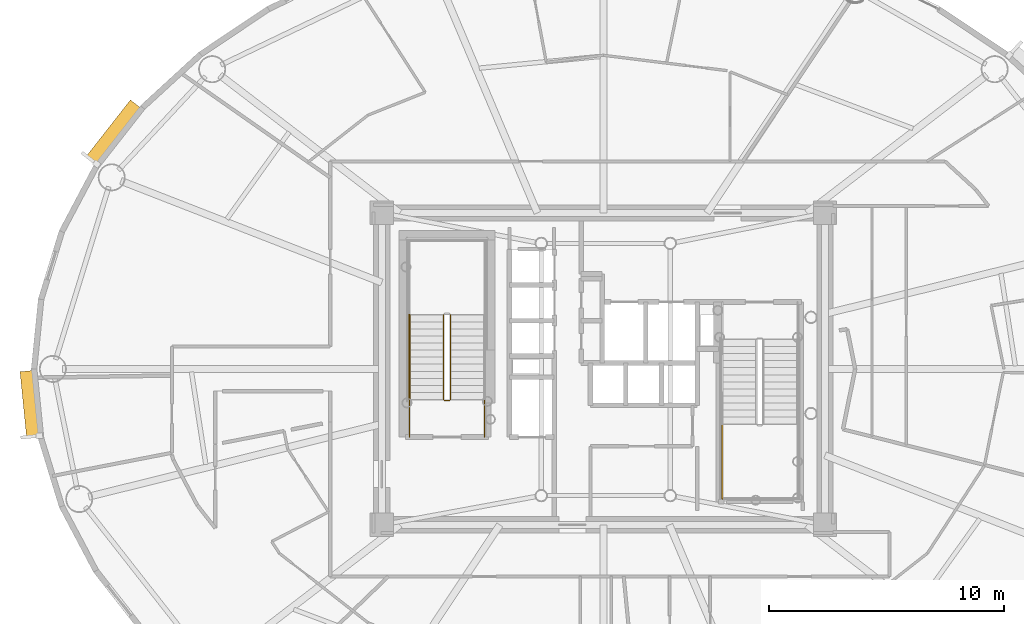
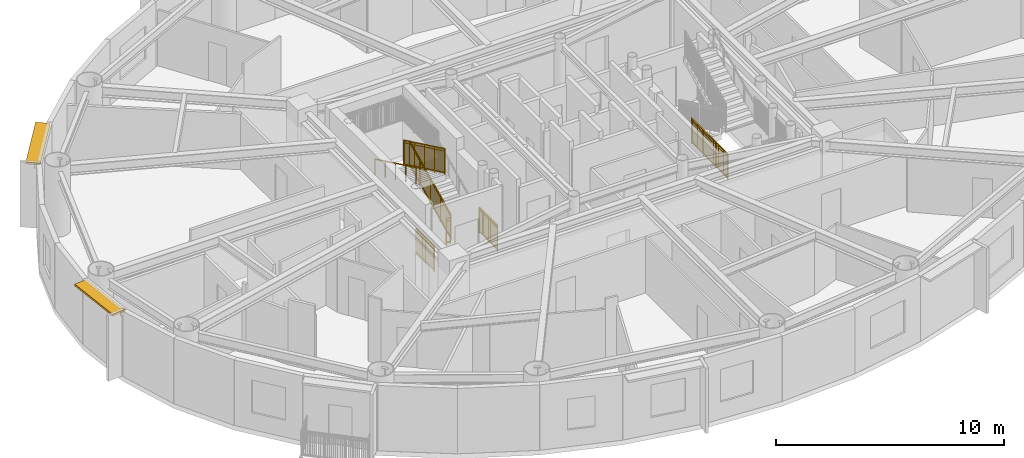
# One storey, part 12 of 16: 7 railings, 2 shading devices.
"""IFC4 building model written with IfcOpenShell, lengths in metres."""

from ifc_helpers import new_model, si_unit, direction, frame, origin, origin_2d, place, context, subcontext, project, spatial, rectangle, extrude, source, transform, mapped, material, layer, layer_set, type_object, element, save


model = new_model("IFC4")

# Units and contexts
model_context = context("Model", 3, precision=1e-05, world=origin(), true_north=direction((0.0, 1.0)))
body_context = subcontext(model_context, "Body", "Model", "MODEL_VIEW")
ifc_project = project(units=[si_unit("LENGTHUNIT", "METRE"), si_unit("AREAUNIT", "SQUARE_METRE"), si_unit("VOLUMEUNIT", "CUBIC_METRE"), si_unit("PLANEANGLEUNIT", "RADIAN"), si_unit("MASSUNIT", "GRAM", prefix="KILO")], contexts=[model_context])

# Site, building, storey
site_placement = place(None, origin())
site = spatial("IfcSite", under=ifc_project, at=site_placement, CompositionType="ELEMENT")
building_placement = place(site_placement, origin())
building = spatial("IfcBuilding", under=site, at=building_placement, Name="Linh Dai School and Residence Tower", CompositionType="ELEMENT")
storey_placement = place(building_placement, frame((0.0, 0.0, 255.300048828125)))
storey = spatial("IfcBuildingStorey", under=building, at=storey_placement, Name="L63", CompositionType="ELEMENT", Elevation=255.300048828125)

# Shading devices
ifc_material_1 = material(Name="Terracotta Ceramic Sunshade", Category="masonry")
ifc_layer = layer(ifc_material_1, 0.10009765625)
ifc_layer_set = layer_set([ifc_layer], Name="Terracotta Ceramic Sunshade")
shading_device_type = type_object("IfcShadingDeviceType", Name="SHD-TC-650", PredefinedType="USERDEFINED", material=ifc_layer_set)
shared_shape_1 = source(origin(), body_context, "Body", "SweptSolid", [
    extrude(rectangle(XDim=2.859619140625, YDim=0.64990234375, at=origin_2d()), origin(), (0.0, 0.0, 1.0), 0.10009765625),
])
shading_device_1_placement = place(storey_placement, frame((11.59033203125, 25.489501953125, 3.3798828125), z_axis=(0.0, 0.0, 1.0), x_axis=(-0.100012244219, 0.99498620644, 0.0)))
element("IfcShadingDevice", 1, at=shading_device_1_placement, inside=storey, type_object=shading_device_type, Name="L63 Terracotta Horizontal Sunshade Band 21", ObjectType="SUNSHADE", PredefinedType="USERDEFINED", context=body_context, shape_type="MappedRepresentation", body=[
    mapped(shared_shape_1, transform((0.0, 0.0, 0.0), x_axis=(1.0, 0.0, 0.0), y_axis=(0.0, 1.0, 0.0), z_axis=(0.0, 0.0, 1.0), scale=1.0)),
])
shared_shape_2 = source(origin(), body_context, "Body", "SweptSolid", [
    extrude(rectangle(XDim=3.095703125, YDim=0.64990234375, at=origin_2d()), origin(), (0.0, 0.0, 1.0), 0.10009765625),
])
shading_device_2_placement = place(storey_placement, frame((15.133544921875, 37.050537109375, 3.3798828125), z_axis=(0.0, 0.0, 1.0), x_axis=(0.616331674867, 0.787486677066, 0.0)))
element("IfcShadingDevice", 2, at=shading_device_2_placement, inside=storey, type_object=shading_device_type, Name="L63 Terracotta Horizontal Sunshade Band 17", ObjectType="SUNSHADE", PredefinedType="USERDEFINED", context=body_context, shape_type="MappedRepresentation", body=[
    mapped(shared_shape_2, transform((0.0, 0.0, 0.0), x_axis=(1.0, 0.0, 0.0), y_axis=(0.0, 1.0, 0.0), z_axis=(0.0, 0.0, 1.0), scale=1.0)),
])

# Railings
ifc_material_2 = material(Name="Structural Steel S355JR", Category="steel")
railing_type_1 = type_object("IfcRailingType", Name="RL-ST-GUARD-1400", PredefinedType="GUARDRAIL", material=ifc_material_2)
shared_shape_3 = source(origin(), body_context, "Body", "SweptSolid", [
    extrude(rectangle(XDim=0.048095703125, YDim=0.048095703125, at=origin_2d()), frame((0.0, 0.0, 1.3759765625), z_axis=(-1.0, 0.0, 0.0), x_axis=(0.0, -1.0, 0.0)), (0.0, 0.0, 1.0), 0.199951171875),
    extrude(rectangle(XDim=0.048095703125, YDim=0.048095703125, at=origin_2d()), frame((0.0, 0.0, 0.10009765625), z_axis=(-1.0, 0.0, 0.0), x_axis=(0.0, -1.0, 0.0)), (0.0, 0.0, 1.0), 0.199951171875),
    extrude(rectangle(XDim=0.030029296875, YDim=0.030029296875, at=origin_2d()), frame((0.0, 0.0, 1.239990234375), z_axis=(-1.0, 0.0, 0.0), x_axis=(0.0, -1.0, 0.0)), (0.0, 0.0, 1.0), 0.199951171875),
    extrude(rectangle(XDim=0.0419921875, YDim=0.0419921875, at=origin_2d()), origin(), (0.0, 0.0, 1.0), 1.3759765625),
    extrude(rectangle(XDim=0.0419921875, YDim=0.0419921875, at=origin_2d()), frame((-0.199951171875, 0.0, 0.0)), (0.0, 0.0, 1.0), 1.3759765625),
])
railing_1_placement = place(storey_placement, frame((29.429931640625, 25.64990234375, 0.0)))
element("IfcRailing", 3, at=railing_1_placement, inside=storey, type_object=railing_type_1, Name="L63 ST1 stair guard 7", PredefinedType="GUARDRAIL", context=body_context, shape_type="MappedRepresentation", body=[
    mapped(shared_shape_3, transform((0.0, 0.0, 0.0), x_axis=(1.0, 0.0, 0.0), y_axis=(0.0, 1.0, 0.0), z_axis=(0.0, 0.0, 1.0), scale=1.0)),
])
shared_shape_4 = source(origin(), body_context, "Body", "SweptSolid", [
    extrude(rectangle(XDim=0.048095703125, YDim=0.048095703125, at=origin_2d()), frame((0.0, 0.0, 1.3759765625), z_axis=(0.0, 1.0, 0.0), x_axis=(-1.0, 0.0, 0.0)), (0.0, 0.0, 1.0), 1.599853515625),
    extrude(rectangle(XDim=0.048095703125, YDim=0.048095703125, at=origin_2d()), frame((0.0, 0.0, 0.10009765625), z_axis=(0.0, 1.0, 0.0), x_axis=(-1.0, 0.0, 0.0)), (0.0, 0.0, 1.0), 1.599853515625),
    extrude(rectangle(XDim=0.030029296875, YDim=0.030029296875, at=origin_2d()), frame((0.0, 0.0, 1.239990234375), z_axis=(0.0, 1.0, 0.0), x_axis=(-1.0, 0.0, 0.0)), (0.0, 0.0, 1.0), 1.599853515625),
    extrude(rectangle(XDim=0.02001953125, YDim=0.02001953125, at=origin_2d()), frame((0.0, 0.093994140625, 0.10009765625)), (0.0, 0.0, 1.0), 1.251708984375),
    extrude(rectangle(XDim=0.02001953125, YDim=0.02001953125, at=origin_2d()), frame((0.0, 0.188232421875, 0.10009765625)), (0.0, 0.0, 1.0), 1.251708984375),
    extrude(rectangle(XDim=0.02001953125, YDim=0.02001953125, at=origin_2d()), frame((0.0, 0.2822265625, 0.10009765625)), (0.0, 0.0, 1.0), 1.251708984375),
    extrude(rectangle(XDim=0.02001953125, YDim=0.02001953125, at=origin_2d()), frame((0.0, 0.37646484375, 0.10009765625)), (0.0, 0.0, 1.0), 1.251708984375),
    extrude(rectangle(XDim=0.02001953125, YDim=0.02001953125, at=origin_2d()), frame((0.0, 0.470458984375, 0.10009765625)), (0.0, 0.0, 1.0), 1.251708984375),
    extrude(rectangle(XDim=0.02001953125, YDim=0.02001953125, at=origin_2d()), frame((0.0, 0.564697265625, 0.10009765625)), (0.0, 0.0, 1.0), 1.251708984375),
    extrude(rectangle(XDim=0.02001953125, YDim=0.02001953125, at=origin_2d()), frame((0.0, 0.65869140625, 0.10009765625)), (0.0, 0.0, 1.0), 1.251708984375),
    extrude(rectangle(XDim=0.02001953125, YDim=0.02001953125, at=origin_2d()), frame((0.0, 0.7529296875, 0.10009765625)), (0.0, 0.0, 1.0), 1.251708984375),
    extrude(rectangle(XDim=0.02001953125, YDim=0.02001953125, at=origin_2d()), frame((0.0, 0.846923828125, 0.10009765625)), (0.0, 0.0, 1.0), 1.251708984375),
    extrude(rectangle(XDim=0.02001953125, YDim=0.02001953125, at=origin_2d()), frame((0.0, 0.941162109375, 0.10009765625)), (0.0, 0.0, 1.0), 1.251708984375),
    extrude(rectangle(XDim=0.02001953125, YDim=0.02001953125, at=origin_2d()), frame((0.0, 1.03515625, 0.10009765625)), (0.0, 0.0, 1.0), 1.251708984375),
    extrude(rectangle(XDim=0.02001953125, YDim=0.02001953125, at=origin_2d()), frame((0.0, 1.12939453125, 0.10009765625)), (0.0, 0.0, 1.0), 1.251708984375),
    extrude(rectangle(XDim=0.02001953125, YDim=0.02001953125, at=origin_2d()), frame((0.0, 1.223388671875, 0.10009765625)), (0.0, 0.0, 1.0), 1.251708984375),
    extrude(rectangle(XDim=0.02001953125, YDim=0.02001953125, at=origin_2d()), frame((0.0, 1.317626953125, 0.10009765625)), (0.0, 0.0, 1.0), 1.251708984375),
    extrude(rectangle(XDim=0.02001953125, YDim=0.02001953125, at=origin_2d()), frame((0.0, 1.41162109375, 0.10009765625)), (0.0, 0.0, 1.0), 1.251708984375),
    extrude(rectangle(XDim=0.02001953125, YDim=0.02001953125, at=origin_2d()), frame((0.0, 1.505859375, 0.10009765625)), (0.0, 0.0, 1.0), 1.251708984375),
    extrude(rectangle(XDim=0.0419921875, YDim=0.0419921875, at=origin_2d()), origin(), (0.0, 0.0, 1.0), 1.3759765625),
    extrude(rectangle(XDim=0.0419921875, YDim=0.0419921875, at=origin_2d()), frame((0.0, 0.7998046875, 0.0)), (0.0, 0.0, 1.0), 1.3759765625),
    extrude(rectangle(XDim=0.0419921875, YDim=0.0419921875, at=origin_2d()), frame((0.0, 1.599853515625, 0.0)), (0.0, 0.0, 1.0), 1.3759765625),
])
for number, where, name in (
    (4, (30.929931640625, 24.10009765625, 0.0), "L63 ST1 stair guard 8"),
    (5, (27.72998046875, 24.10009765625, 0.0), "L63 ST1 stair guard 9"),
):
    element("IfcRailing", number, at=place(storey_placement, frame(where)), inside=storey, type_object=railing_type_1, Name=name, PredefinedType="GUARDRAIL", context=body_context, shape_type="MappedRepresentation", body=[
        mapped(shared_shape_4, transform((0.0, 0.0, 0.0), x_axis=(1.0, 0.0, 0.0), y_axis=(0.0, 1.0, 0.0), z_axis=(0.0, 0.0, 1.0), scale=1.0)),
    ])
shared_shape_5 = source(origin(), body_context, "Body", "SweptSolid", [
    extrude(rectangle(XDim=0.048095703125, YDim=0.048095703125, at=origin_2d()), frame((0.0, 0.0, 1.3759765625), z_axis=(0.0, 0.901262522062, 0.433273431364), x_axis=(-1.0, 0.0, 0.0)), (0.0, 0.0, 1.0), 3.994384765625),
    extrude(rectangle(XDim=0.048095703125, YDim=0.048095703125, at=origin_2d()), frame((0.0, 0.0, 0.10009765625), z_axis=(0.0, 0.901262522062, 0.433273431364), x_axis=(-1.0, 0.0, 0.0)), (0.0, 0.0, 1.0), 3.994384765625),
    extrude(rectangle(XDim=0.030029296875, YDim=0.030029296875, at=origin_2d()), frame((0.0, 0.0, 1.239990234375), z_axis=(0.0, 0.901262522062, 0.433273431364), x_axis=(-1.0, 0.0, 0.0)), (0.0, 0.0, 1.0), 3.994384765625),
    extrude(rectangle(XDim=0.02001953125, YDim=0.02001953125, at=origin_2d()), frame((0.0, 0.087890625, 0.142333984375)), (0.0, 0.0, 1.0), 1.251708984375),
    extrude(rectangle(XDim=0.02001953125, YDim=0.02001953125, at=origin_2d()), frame((0.0, 0.175537109375, 0.1845703125)), (0.0, 0.0, 1.0), 1.251708984375),
    extrude(rectangle(XDim=0.02001953125, YDim=0.02001953125, at=origin_2d()), frame((0.0, 0.263427734375, 0.226806640625)), (0.0, 0.0, 1.0), 1.251708984375),
    extrude(rectangle(XDim=0.02001953125, YDim=0.02001953125, at=origin_2d()), frame((0.0, 0.351318359375, 0.26904296875)), (0.0, 0.0, 1.0), 1.251708984375),
    extrude(rectangle(XDim=0.02001953125, YDim=0.02001953125, at=origin_2d()), frame((0.0, 0.43896484375, 0.311279296875)), (0.0, 0.0, 1.0), 1.251708984375),
    extrude(rectangle(XDim=0.02001953125, YDim=0.02001953125, at=origin_2d()), frame((0.0, 0.52685546875, 0.353271484375)), (0.0, 0.0, 1.0), 1.251708984375),
    extrude(rectangle(XDim=0.02001953125, YDim=0.02001953125, at=origin_2d()), frame((0.0, 0.61474609375, 0.3955078125)), (0.0, 0.0, 1.0), 1.251708984375),
    extrude(rectangle(XDim=0.02001953125, YDim=0.02001953125, at=origin_2d()), frame((0.0, 0.702392578125, 0.437744140625)), (0.0, 0.0, 1.0), 1.251708984375),
    extrude(rectangle(XDim=0.02001953125, YDim=0.02001953125, at=origin_2d()), frame((0.0, 0.790283203125, 0.47998046875)), (0.0, 0.0, 1.0), 1.251708984375),
    extrude(rectangle(XDim=0.02001953125, YDim=0.02001953125, at=origin_2d()), frame((0.0, 0.9658203125, 0.564453125)), (0.0, 0.0, 1.0), 1.251708984375),
    extrude(rectangle(XDim=0.02001953125, YDim=0.02001953125, at=origin_2d()), frame((0.0, 1.0537109375, 0.606689453125)), (0.0, 0.0, 1.0), 1.251708984375),
    extrude(rectangle(XDim=0.02001953125, YDim=0.02001953125, at=origin_2d()), frame((0.0, 1.1416015625, 0.64892578125)), (0.0, 0.0, 1.0), 1.251708984375),
    extrude(rectangle(XDim=0.02001953125, YDim=0.02001953125, at=origin_2d()), frame((0.0, 1.229248046875, 0.691162109375)), (0.0, 0.0, 1.0), 1.251708984375),
    extrude(rectangle(XDim=0.02001953125, YDim=0.02001953125, at=origin_2d()), frame((0.0, 1.317138671875, 0.7333984375)), (0.0, 0.0, 1.0), 1.251708984375),
    extrude(rectangle(XDim=0.02001953125, YDim=0.02001953125, at=origin_2d()), frame((0.0, 1.405029296875, 0.775390625)), (0.0, 0.0, 1.0), 1.251708984375),
    extrude(rectangle(XDim=0.02001953125, YDim=0.02001953125, at=origin_2d()), frame((0.0, 1.49267578125, 0.817626953125)), (0.0, 0.0, 1.0), 1.251708984375),
    extrude(rectangle(XDim=0.02001953125, YDim=0.02001953125, at=origin_2d()), frame((0.0, 1.58056640625, 0.85986328125)), (0.0, 0.0, 1.0), 1.251708984375),
    extrude(rectangle(XDim=0.02001953125, YDim=0.02001953125, at=origin_2d()), frame((0.0, 1.66845703125, 0.902099609375)), (0.0, 0.0, 1.0), 1.251708984375),
    extrude(rectangle(XDim=0.02001953125, YDim=0.02001953125, at=origin_2d()), frame((0.0, 1.756103515625, 0.9443359375)), (0.0, 0.0, 1.0), 1.251708984375),
    extrude(rectangle(XDim=0.02001953125, YDim=0.02001953125, at=origin_2d()), frame((0.0, 1.843994140625, 0.986572265625)), (0.0, 0.0, 1.0), 1.251708984375),
    extrude(rectangle(XDim=0.02001953125, YDim=0.02001953125, at=origin_2d()), frame((0.0, 1.931640625, 1.02880859375)), (0.0, 0.0, 1.0), 1.251708984375),
    extrude(rectangle(XDim=0.02001953125, YDim=0.02001953125, at=origin_2d()), frame((0.0, 2.01953125, 1.071044921875)), (0.0, 0.0, 1.0), 1.251708984375),
    extrude(rectangle(XDim=0.02001953125, YDim=0.02001953125, at=origin_2d()), frame((0.0, 2.107421875, 1.11328125)), (0.0, 0.0, 1.0), 1.251708984375),
    extrude(rectangle(XDim=0.02001953125, YDim=0.02001953125, at=origin_2d()), frame((0.0, 2.195068359375, 1.155517578125)), (0.0, 0.0, 1.0), 1.251708984375),
    extrude(rectangle(XDim=0.02001953125, YDim=0.02001953125, at=origin_2d()), frame((0.0, 2.282958984375, 1.197509765625)), (0.0, 0.0, 1.0), 1.251708984375),
    extrude(rectangle(XDim=0.02001953125, YDim=0.02001953125, at=origin_2d()), frame((0.0, 2.370849609375, 1.23974609375)), (0.0, 0.0, 1.0), 1.251708984375),
    extrude(rectangle(XDim=0.02001953125, YDim=0.02001953125, at=origin_2d()), frame((0.0, 2.45849609375, 1.281982421875)), (0.0, 0.0, 1.0), 1.251708984375),
    extrude(rectangle(XDim=0.02001953125, YDim=0.02001953125, at=origin_2d()), frame((0.0, 2.54638671875, 1.32421875)), (0.0, 0.0, 1.0), 1.251708984375),
    extrude(rectangle(XDim=0.02001953125, YDim=0.02001953125, at=origin_2d()), frame((0.0, 2.63427734375, 1.366455078125)), (0.0, 0.0, 1.0), 1.251708984375),
    extrude(rectangle(XDim=0.02001953125, YDim=0.02001953125, at=origin_2d()), frame((0.0, 2.809814453125, 1.450927734375)), (0.0, 0.0, 1.0), 1.251708984375),
    extrude(rectangle(XDim=0.02001953125, YDim=0.02001953125, at=origin_2d()), frame((0.0, 2.897705078125, 1.4931640625)), (0.0, 0.0, 1.0), 1.251708984375),
    extrude(rectangle(XDim=0.02001953125, YDim=0.02001953125, at=origin_2d()), frame((0.0, 2.9853515625, 1.535400390625)), (0.0, 0.0, 1.0), 1.251708984375),
    extrude(rectangle(XDim=0.02001953125, YDim=0.02001953125, at=origin_2d()), frame((0.0, 3.0732421875, 1.57763671875)), (0.0, 0.0, 1.0), 1.251708984375),
    extrude(rectangle(XDim=0.02001953125, YDim=0.02001953125, at=origin_2d()), frame((0.0, 3.1611328125, 1.61962890625)), (0.0, 0.0, 1.0), 1.251708984375),
    extrude(rectangle(XDim=0.02001953125, YDim=0.02001953125, at=origin_2d()), frame((0.0, 3.248779296875, 1.661865234375)), (0.0, 0.0, 1.0), 1.251708984375),
    extrude(rectangle(XDim=0.02001953125, YDim=0.02001953125, at=origin_2d()), frame((0.0, 3.336669921875, 1.7041015625)), (0.0, 0.0, 1.0), 1.251708984375),
    extrude(rectangle(XDim=0.02001953125, YDim=0.02001953125, at=origin_2d()), frame((0.0, 3.424560546875, 1.746337890625)), (0.0, 0.0, 1.0), 1.251708984375),
    extrude(rectangle(XDim=0.02001953125, YDim=0.02001953125, at=origin_2d()), frame((0.0, 3.51220703125, 1.78857421875)), (0.0, 0.0, 1.0), 1.251708984375),
    extrude(rectangle(XDim=0.0419921875, YDim=0.0419921875, at=origin_2d()), origin(), (0.0, 0.0, 1.0), 1.3759765625),
    extrude(rectangle(XDim=0.0419921875, YDim=0.0419921875, at=origin_2d()), frame((0.0, 0.89990234375, 0.4326171875)), (0.0, 0.0, 1.0), 1.3759765625),
    extrude(rectangle(XDim=0.0419921875, YDim=0.0419921875, at=origin_2d()), frame((0.0, 1.800048828125, 0.865234375)), (0.0, 0.0, 1.0), 1.3759765625),
    extrude(rectangle(XDim=0.0419921875, YDim=0.0419921875, at=origin_2d()), frame((0.0, 2.7001953125, 1.298095703125)), (0.0, 0.0, 1.0), 1.3759765625),
    extrude(rectangle(XDim=0.0419921875, YDim=0.0419921875, at=origin_2d()), frame((0.0, 3.60009765625, 1.730712890625)), (0.0, 0.0, 1.0), 1.3759765625),
])
railing_2_placement = place(storey_placement, frame((29.47998046875, 25.699951171875, 0.144287109375)))
element("IfcRailing", 6, at=railing_2_placement, inside=storey, type_object=railing_type_1, Name="L63 ST1 stair guard 1", PredefinedType="GUARDRAIL", context=body_context, shape_type="MappedRepresentation", body=[
    mapped(shared_shape_5, transform((0.0, 0.0, 0.0), x_axis=(1.0, 0.0, 0.0), y_axis=(0.0, 1.0, 0.0), z_axis=(0.0, 0.0, 1.0), scale=1.0)),
])
shared_shape_6 = source(origin(), body_context, "Body", "SweptSolid", [
    extrude(rectangle(XDim=0.048095703125, YDim=0.048095703125, at=origin_2d()), frame((0.0, 0.0, 1.3759765625), z_axis=(0.0, -0.901262522062, 0.433273431364), x_axis=(1.0, 0.0, 0.0)), (0.0, 0.0, 1.0), 3.994384765625),
    extrude(rectangle(XDim=0.048095703125, YDim=0.048095703125, at=origin_2d()), frame((0.0, 0.0, 0.10009765625), z_axis=(0.0, -0.901262522062, 0.433273431364), x_axis=(1.0, 0.0, 0.0)), (0.0, 0.0, 1.0), 3.994384765625),
    extrude(rectangle(XDim=0.030029296875, YDim=0.030029296875, at=origin_2d()), frame((0.0, 0.0, 1.239990234375), z_axis=(0.0, -0.901262522062, 0.433273431364), x_axis=(1.0, 0.0, 0.0)), (0.0, 0.0, 1.0), 3.994384765625),
    extrude(rectangle(XDim=0.02001953125, YDim=0.02001953125, at=origin_2d()), frame((0.0, -0.087890625, 0.142333984375)), (0.0, 0.0, 1.0), 1.251708984375),
    extrude(rectangle(XDim=0.02001953125, YDim=0.02001953125, at=origin_2d()), frame((0.0, -0.175537109375, 0.1845703125)), (0.0, 0.0, 1.0), 1.251708984375),
    extrude(rectangle(XDim=0.02001953125, YDim=0.02001953125, at=origin_2d()), frame((0.0, -0.263427734375, 0.226806640625)), (0.0, 0.0, 1.0), 1.251708984375),
    extrude(rectangle(XDim=0.02001953125, YDim=0.02001953125, at=origin_2d()), frame((0.0, -0.351318359375, 0.26904296875)), (0.0, 0.0, 1.0), 1.251708984375),
    extrude(rectangle(XDim=0.02001953125, YDim=0.02001953125, at=origin_2d()), frame((0.0, -0.43896484375, 0.311279296875)), (0.0, 0.0, 1.0), 1.251708984375),
    extrude(rectangle(XDim=0.02001953125, YDim=0.02001953125, at=origin_2d()), frame((0.0, -0.52685546875, 0.353271484375)), (0.0, 0.0, 1.0), 1.251708984375),
    extrude(rectangle(XDim=0.02001953125, YDim=0.02001953125, at=origin_2d()), frame((0.0, -0.61474609375, 0.3955078125)), (0.0, 0.0, 1.0), 1.251708984375),
    extrude(rectangle(XDim=0.02001953125, YDim=0.02001953125, at=origin_2d()), frame((0.0, -0.702392578125, 0.437744140625)), (0.0, 0.0, 1.0), 1.251708984375),
    extrude(rectangle(XDim=0.02001953125, YDim=0.02001953125, at=origin_2d()), frame((0.0, -0.790283203125, 0.47998046875)), (0.0, 0.0, 1.0), 1.251708984375),
    extrude(rectangle(XDim=0.02001953125, YDim=0.02001953125, at=origin_2d()), frame((0.0, -0.9658203125, 0.564453125)), (0.0, 0.0, 1.0), 1.251708984375),
    extrude(rectangle(XDim=0.02001953125, YDim=0.02001953125, at=origin_2d()), frame((0.0, -1.0537109375, 0.606689453125)), (0.0, 0.0, 1.0), 1.251708984375),
    extrude(rectangle(XDim=0.02001953125, YDim=0.02001953125, at=origin_2d()), frame((0.0, -1.1416015625, 0.64892578125)), (0.0, 0.0, 1.0), 1.251708984375),
    extrude(rectangle(XDim=0.02001953125, YDim=0.02001953125, at=origin_2d()), frame((0.0, -1.229248046875, 0.691162109375)), (0.0, 0.0, 1.0), 1.251708984375),
    extrude(rectangle(XDim=0.02001953125, YDim=0.02001953125, at=origin_2d()), frame((0.0, -1.317138671875, 0.7333984375)), (0.0, 0.0, 1.0), 1.251708984375),
    extrude(rectangle(XDim=0.02001953125, YDim=0.02001953125, at=origin_2d()), frame((0.0, -1.405029296875, 0.775390625)), (0.0, 0.0, 1.0), 1.251708984375),
    extrude(rectangle(XDim=0.02001953125, YDim=0.02001953125, at=origin_2d()), frame((0.0, -1.49267578125, 0.817626953125)), (0.0, 0.0, 1.0), 1.251708984375),
    extrude(rectangle(XDim=0.02001953125, YDim=0.02001953125, at=origin_2d()), frame((0.0, -1.58056640625, 0.85986328125)), (0.0, 0.0, 1.0), 1.251708984375),
    extrude(rectangle(XDim=0.02001953125, YDim=0.02001953125, at=origin_2d()), frame((0.0, -1.66845703125, 0.902099609375)), (0.0, 0.0, 1.0), 1.251708984375),
    extrude(rectangle(XDim=0.02001953125, YDim=0.02001953125, at=origin_2d()), frame((0.0, -1.756103515625, 0.9443359375)), (0.0, 0.0, 1.0), 1.251708984375),
    extrude(rectangle(XDim=0.02001953125, YDim=0.02001953125, at=origin_2d()), frame((0.0, -1.843994140625, 0.986572265625)), (0.0, 0.0, 1.0), 1.251708984375),
    extrude(rectangle(XDim=0.02001953125, YDim=0.02001953125, at=origin_2d()), frame((0.0, -1.931640625, 1.02880859375)), (0.0, 0.0, 1.0), 1.251708984375),
    extrude(rectangle(XDim=0.02001953125, YDim=0.02001953125, at=origin_2d()), frame((0.0, -2.01953125, 1.071044921875)), (0.0, 0.0, 1.0), 1.251708984375),
    extrude(rectangle(XDim=0.02001953125, YDim=0.02001953125, at=origin_2d()), frame((0.0, -2.107421875, 1.11328125)), (0.0, 0.0, 1.0), 1.251708984375),
    extrude(rectangle(XDim=0.02001953125, YDim=0.02001953125, at=origin_2d()), frame((0.0, -2.195068359375, 1.155517578125)), (0.0, 0.0, 1.0), 1.251708984375),
    extrude(rectangle(XDim=0.02001953125, YDim=0.02001953125, at=origin_2d()), frame((0.0, -2.282958984375, 1.197509765625)), (0.0, 0.0, 1.0), 1.251708984375),
    extrude(rectangle(XDim=0.02001953125, YDim=0.02001953125, at=origin_2d()), frame((0.0, -2.370849609375, 1.23974609375)), (0.0, 0.0, 1.0), 1.251708984375),
    extrude(rectangle(XDim=0.02001953125, YDim=0.02001953125, at=origin_2d()), frame((0.0, -2.45849609375, 1.281982421875)), (0.0, 0.0, 1.0), 1.251708984375),
    extrude(rectangle(XDim=0.02001953125, YDim=0.02001953125, at=origin_2d()), frame((0.0, -2.54638671875, 1.32421875)), (0.0, 0.0, 1.0), 1.251708984375),
    extrude(rectangle(XDim=0.02001953125, YDim=0.02001953125, at=origin_2d()), frame((0.0, -2.63427734375, 1.366455078125)), (0.0, 0.0, 1.0), 1.251708984375),
    extrude(rectangle(XDim=0.02001953125, YDim=0.02001953125, at=origin_2d()), frame((0.0, -2.809814453125, 1.450927734375)), (0.0, 0.0, 1.0), 1.251708984375),
    extrude(rectangle(XDim=0.02001953125, YDim=0.02001953125, at=origin_2d()), frame((0.0, -2.897705078125, 1.4931640625)), (0.0, 0.0, 1.0), 1.251708984375),
    extrude(rectangle(XDim=0.02001953125, YDim=0.02001953125, at=origin_2d()), frame((0.0, -2.9853515625, 1.535400390625)), (0.0, 0.0, 1.0), 1.251708984375),
    extrude(rectangle(XDim=0.02001953125, YDim=0.02001953125, at=origin_2d()), frame((0.0, -3.0732421875, 1.57763671875)), (0.0, 0.0, 1.0), 1.251708984375),
    extrude(rectangle(XDim=0.02001953125, YDim=0.02001953125, at=origin_2d()), frame((0.0, -3.1611328125, 1.61962890625)), (0.0, 0.0, 1.0), 1.251708984375),
    extrude(rectangle(XDim=0.02001953125, YDim=0.02001953125, at=origin_2d()), frame((0.0, -3.248779296875, 1.661865234375)), (0.0, 0.0, 1.0), 1.251708984375),
    extrude(rectangle(XDim=0.02001953125, YDim=0.02001953125, at=origin_2d()), frame((0.0, -3.336669921875, 1.7041015625)), (0.0, 0.0, 1.0), 1.251708984375),
    extrude(rectangle(XDim=0.02001953125, YDim=0.02001953125, at=origin_2d()), frame((0.0, -3.424560546875, 1.746337890625)), (0.0, 0.0, 1.0), 1.251708984375),
    extrude(rectangle(XDim=0.02001953125, YDim=0.02001953125, at=origin_2d()), frame((0.0, -3.51220703125, 1.78857421875)), (0.0, 0.0, 1.0), 1.251708984375),
    extrude(rectangle(XDim=0.0419921875, YDim=0.0419921875, at=origin_2d()), origin(), (0.0, 0.0, 1.0), 1.3759765625),
    extrude(rectangle(XDim=0.0419921875, YDim=0.0419921875, at=origin_2d()), frame((0.0, -0.89990234375, 0.4326171875)), (0.0, 0.0, 1.0), 1.3759765625),
    extrude(rectangle(XDim=0.0419921875, YDim=0.0419921875, at=origin_2d()), frame((0.0, -1.800048828125, 0.865234375)), (0.0, 0.0, 1.0), 1.3759765625),
    extrude(rectangle(XDim=0.0419921875, YDim=0.0419921875, at=origin_2d()), frame((0.0, -2.7001953125, 1.298095703125)), (0.0, 0.0, 1.0), 1.3759765625),
    extrude(rectangle(XDim=0.0419921875, YDim=0.0419921875, at=origin_2d()), frame((0.0, -3.60009765625, 1.730712890625)), (0.0, 0.0, 1.0), 1.3759765625),
])
railing_3_placement = place(storey_placement, frame((29.179931640625, 29.300048828125, 2.019287109375)))
element("IfcRailing", 7, at=railing_3_placement, inside=storey, type_object=railing_type_1, Name="L63 ST1 stair guard 6", PredefinedType="GUARDRAIL", context=body_context, shape_type="MappedRepresentation", body=[
    mapped(shared_shape_6, transform((0.0, 0.0, 0.0), x_axis=(1.0, 0.0, 0.0), y_axis=(0.0, 1.0, 0.0), z_axis=(0.0, 0.0, 1.0), scale=1.0)),
])
ifc_material_3 = material(Name="Brushed Stainless Steel Handrail", Category="steel")
railing_type_2 = type_object("IfcRailingType", Name="RL-ST-HANDRAIL-900", PredefinedType="HANDRAIL", material=ifc_material_3)
shared_shape_7 = source(origin(), body_context, "Body", "SweptSolid", [
    extrude(rectangle(XDim=0.048095703125, YDim=0.048095703125, at=origin_2d()), frame((0.0, 0.0, 0.8759765625), z_axis=(0.0, -0.901262522062, 0.433273431364), x_axis=(1.0, 0.0, 0.0)), (0.0, 0.0, 1.0), 3.994384765625),
    extrude(rectangle(XDim=0.0419921875, YDim=0.0419921875, at=origin_2d()), origin(), (0.0, 0.0, 1.0), 0.8759765625),
    extrude(rectangle(XDim=0.0419921875, YDim=0.0419921875, at=origin_2d()), frame((0.0, -0.89990234375, 0.4326171875)), (0.0, 0.0, 1.0), 0.8759765625),
    extrude(rectangle(XDim=0.0419921875, YDim=0.0419921875, at=origin_2d()), frame((0.0, -1.800048828125, 0.865234375)), (0.0, 0.0, 1.0), 0.8759765625),
    extrude(rectangle(XDim=0.0419921875, YDim=0.0419921875, at=origin_2d()), frame((0.0, -2.7001953125, 1.298095703125)), (0.0, 0.0, 1.0), 0.8759765625),
    extrude(rectangle(XDim=0.0419921875, YDim=0.0419921875, at=origin_2d()), frame((0.0, -3.60009765625, 1.730712890625)), (0.0, 0.0, 1.0), 0.8759765625),
])
railing_4_placement = place(storey_placement, frame((27.72998046875, 29.300048828125, 2.019287109375)))
element("IfcRailing", 8, at=railing_4_placement, inside=storey, type_object=railing_type_2, Name="L63 ST1 stair handrail 2", PredefinedType="HANDRAIL", context=body_context, shape_type="MappedRepresentation", body=[
    mapped(shared_shape_7, transform((0.0, 0.0, 0.0), x_axis=(1.0, 0.0, 0.0), y_axis=(0.0, 1.0, 0.0), z_axis=(0.0, 0.0, 1.0), scale=1.0)),
])
shared_shape_8 = source(origin(), body_context, "Body", "SweptSolid", [
    extrude(rectangle(XDim=0.048095703125, YDim=0.048095703125, at=origin_2d()), frame((0.0, 0.0, 1.3759765625), z_axis=(0.0, -1.0, 0.0), x_axis=(1.0, 0.0, 0.0)), (0.0, 0.0, 1.0), 3.199951171875),
    extrude(rectangle(XDim=0.048095703125, YDim=0.048095703125, at=origin_2d()), frame((0.0, 0.0, 0.10009765625), z_axis=(0.0, -1.0, 0.0), x_axis=(1.0, 0.0, 0.0)), (0.0, 0.0, 1.0), 3.199951171875),
    extrude(rectangle(XDim=0.030029296875, YDim=0.030029296875, at=origin_2d()), frame((0.0, 0.0, 1.239990234375), z_axis=(0.0, -1.0, 0.0), x_axis=(1.0, 0.0, 0.0)), (0.0, 0.0, 1.0), 3.199951171875),
    extrude(rectangle(XDim=0.02001953125, YDim=0.02001953125, at=origin_2d()), frame((0.0, -0.096923828125, 0.10009765625)), (0.0, 0.0, 1.0), 1.251708984375),
    extrude(rectangle(XDim=0.02001953125, YDim=0.02001953125, at=origin_2d()), frame((0.0, -0.19384765625, 0.10009765625)), (0.0, 0.0, 1.0), 1.251708984375),
    extrude(rectangle(XDim=0.02001953125, YDim=0.02001953125, at=origin_2d()), frame((0.0, -0.291015625, 0.10009765625)), (0.0, 0.0, 1.0), 1.251708984375),
    extrude(rectangle(XDim=0.02001953125, YDim=0.02001953125, at=origin_2d()), frame((0.0, -0.387939453125, 0.10009765625)), (0.0, 0.0, 1.0), 1.251708984375),
    extrude(rectangle(XDim=0.02001953125, YDim=0.02001953125, at=origin_2d()), frame((0.0, -0.48486328125, 0.10009765625)), (0.0, 0.0, 1.0), 1.251708984375),
    extrude(rectangle(XDim=0.02001953125, YDim=0.02001953125, at=origin_2d()), frame((0.0, -0.581787109375, 0.10009765625)), (0.0, 0.0, 1.0), 1.251708984375),
    extrude(rectangle(XDim=0.02001953125, YDim=0.02001953125, at=origin_2d()), frame((0.0, -0.6787109375, 0.10009765625)), (0.0, 0.0, 1.0), 1.251708984375),
    extrude(rectangle(XDim=0.02001953125, YDim=0.02001953125, at=origin_2d()), frame((0.0, -0.775634765625, 0.10009765625)), (0.0, 0.0, 1.0), 1.251708984375),
    extrude(rectangle(XDim=0.02001953125, YDim=0.02001953125, at=origin_2d()), frame((0.0, -0.872802734375, 0.10009765625)), (0.0, 0.0, 1.0), 1.251708984375),
    extrude(rectangle(XDim=0.02001953125, YDim=0.02001953125, at=origin_2d()), frame((0.0, -0.9697265625, 0.10009765625)), (0.0, 0.0, 1.0), 1.251708984375),
    extrude(rectangle(XDim=0.02001953125, YDim=0.02001953125, at=origin_2d()), frame((0.0, -1.16357421875, 0.10009765625)), (0.0, 0.0, 1.0), 1.251708984375),
    extrude(rectangle(XDim=0.02001953125, YDim=0.02001953125, at=origin_2d()), frame((0.0, -1.260498046875, 0.10009765625)), (0.0, 0.0, 1.0), 1.251708984375),
    extrude(rectangle(XDim=0.02001953125, YDim=0.02001953125, at=origin_2d()), frame((0.0, -1.357666015625, 0.10009765625)), (0.0, 0.0, 1.0), 1.251708984375),
    extrude(rectangle(XDim=0.02001953125, YDim=0.02001953125, at=origin_2d()), frame((0.0, -1.45458984375, 0.10009765625)), (0.0, 0.0, 1.0), 1.251708984375),
    extrude(rectangle(XDim=0.02001953125, YDim=0.02001953125, at=origin_2d()), frame((0.0, -1.551513671875, 0.10009765625)), (0.0, 0.0, 1.0), 1.251708984375),
    extrude(rectangle(XDim=0.02001953125, YDim=0.02001953125, at=origin_2d()), frame((0.0, -1.6484375, 0.10009765625)), (0.0, 0.0, 1.0), 1.251708984375),
    extrude(rectangle(XDim=0.02001953125, YDim=0.02001953125, at=origin_2d()), frame((0.0, -1.745361328125, 0.10009765625)), (0.0, 0.0, 1.0), 1.251708984375),
    extrude(rectangle(XDim=0.02001953125, YDim=0.02001953125, at=origin_2d()), frame((0.0, -1.84228515625, 0.10009765625)), (0.0, 0.0, 1.0), 1.251708984375),
    extrude(rectangle(XDim=0.02001953125, YDim=0.02001953125, at=origin_2d()), frame((0.0, -1.939453125, 0.10009765625)), (0.0, 0.0, 1.0), 1.251708984375),
    extrude(rectangle(XDim=0.02001953125, YDim=0.02001953125, at=origin_2d()), frame((0.0, -2.036376953125, 0.10009765625)), (0.0, 0.0, 1.0), 1.251708984375),
    extrude(rectangle(XDim=0.02001953125, YDim=0.02001953125, at=origin_2d()), frame((0.0, -2.230224609375, 0.10009765625)), (0.0, 0.0, 1.0), 1.251708984375),
    extrude(rectangle(XDim=0.02001953125, YDim=0.02001953125, at=origin_2d()), frame((0.0, -2.3271484375, 0.10009765625)), (0.0, 0.0, 1.0), 1.251708984375),
    extrude(rectangle(XDim=0.02001953125, YDim=0.02001953125, at=origin_2d()), frame((0.0, -2.42431640625, 0.10009765625)), (0.0, 0.0, 1.0), 1.251708984375),
    extrude(rectangle(XDim=0.02001953125, YDim=0.02001953125, at=origin_2d()), frame((0.0, -2.521240234375, 0.10009765625)), (0.0, 0.0, 1.0), 1.251708984375),
    extrude(rectangle(XDim=0.02001953125, YDim=0.02001953125, at=origin_2d()), frame((0.0, -2.6181640625, 0.10009765625)), (0.0, 0.0, 1.0), 1.251708984375),
    extrude(rectangle(XDim=0.02001953125, YDim=0.02001953125, at=origin_2d()), frame((0.0, -2.715087890625, 0.10009765625)), (0.0, 0.0, 1.0), 1.251708984375),
    extrude(rectangle(XDim=0.02001953125, YDim=0.02001953125, at=origin_2d()), frame((0.0, -2.81201171875, 0.10009765625)), (0.0, 0.0, 1.0), 1.251708984375),
    extrude(rectangle(XDim=0.02001953125, YDim=0.02001953125, at=origin_2d()), frame((0.0, -2.908935546875, 0.10009765625)), (0.0, 0.0, 1.0), 1.251708984375),
    extrude(rectangle(XDim=0.02001953125, YDim=0.02001953125, at=origin_2d()), frame((0.0, -3.006103515625, 0.10009765625)), (0.0, 0.0, 1.0), 1.251708984375),
    extrude(rectangle(XDim=0.02001953125, YDim=0.02001953125, at=origin_2d()), frame((0.0, -3.10302734375, 0.10009765625)), (0.0, 0.0, 1.0), 1.251708984375),
    extrude(rectangle(XDim=0.0419921875, YDim=0.0419921875, at=origin_2d()), origin(), (0.0, 0.0, 1.0), 1.3759765625),
    extrude(rectangle(XDim=0.0419921875, YDim=0.0419921875, at=origin_2d()), frame((0.0, -1.066650390625, 0.0)), (0.0, 0.0, 1.0), 1.3759765625),
    extrude(rectangle(XDim=0.0419921875, YDim=0.0419921875, at=origin_2d()), frame((0.0, -2.13330078125, 0.0)), (0.0, 0.0, 1.0), 1.3759765625),
    extrude(rectangle(XDim=0.0419921875, YDim=0.0419921875, at=origin_2d()), frame((0.0, -3.199951171875, 0.0)), (0.0, 0.0, 1.0), 1.3759765625),
])
railing_5_placement = place(storey_placement, frame((41.070068359375, 24.64990234375, 1.875)))
element("IfcRailing", 9, at=railing_5_placement, inside=storey, type_object=railing_type_1, Name="L63 ST2 stair guard 3", PredefinedType="GUARDRAIL", context=body_context, shape_type="MappedRepresentation", body=[
    mapped(shared_shape_8, transform((0.0, 0.0, 0.0), x_axis=(1.0, 0.0, 0.0), y_axis=(0.0, 1.0, 0.0), z_axis=(0.0, 0.0, 1.0), scale=1.0)),
])

save(model, "model.ifc")
